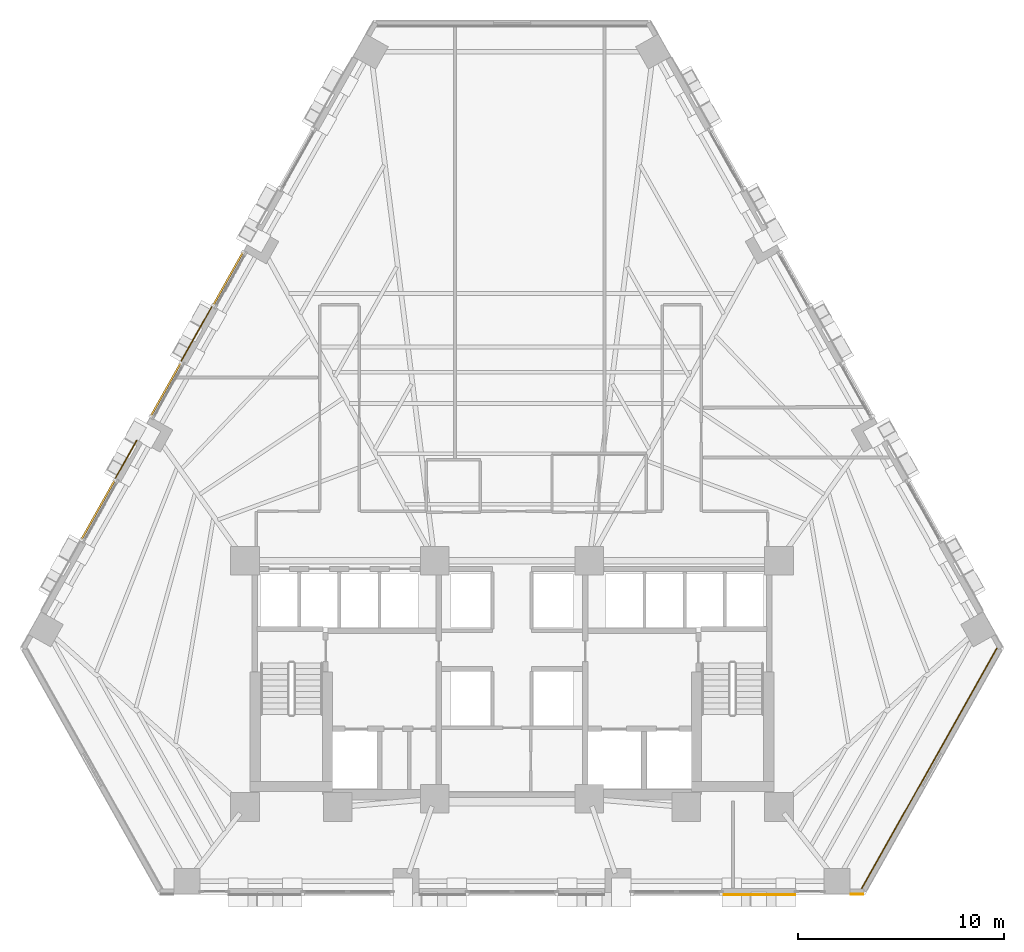
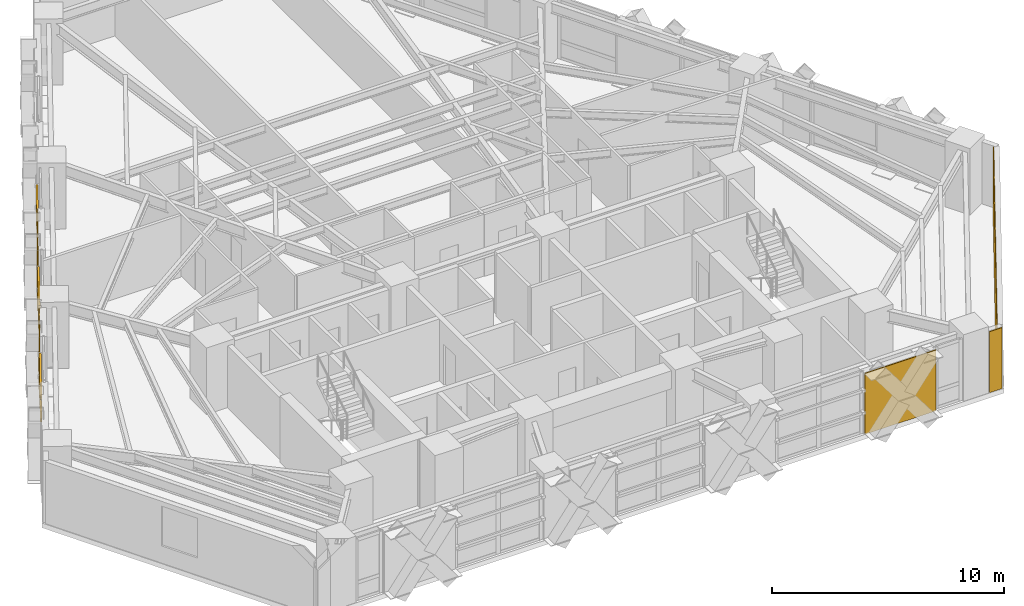
# One storey, part 11 of 13: 6 shading devices, 5 coverings.
"""IFC4 building model written with IfcOpenShell, lengths in metres."""

from ifc_helpers import new_model, si_unit, direction, frame, origin, origin_2d, place, context, subcontext, project, spatial, polyline, rectangle, outline, extrude, material, layer, layer_set, material_profile, profile_set, type_object, element, save


model = new_model("IFC4")

# Units and contexts
model_context = context("Model", 3, precision=1e-05, world=origin(), true_north=direction((0.0, 1.0)))
body_context = subcontext(model_context, "Body", "Model", "MODEL_VIEW")
ifc_project = project(units=[si_unit("LENGTHUNIT", "METRE"), si_unit("AREAUNIT", "SQUARE_METRE"), si_unit("VOLUMEUNIT", "CUBIC_METRE"), si_unit("PLANEANGLEUNIT", "RADIAN"), si_unit("MASSUNIT", "GRAM", prefix="KILO")], contexts=[model_context])

# Site, building, storey
site_placement = place(None, origin())
site = spatial("IfcSite", under=ifc_project, at=site_placement, CompositionType="ELEMENT")
building_placement = place(site_placement, origin())
building = spatial("IfcBuilding", under=site, at=building_placement, Name="Quenlor Broadcast Tower", CompositionType="ELEMENT")
storey_placement = place(building_placement, frame((0.0, 0.0, 62.60009765625)))
storey = spatial("IfcBuildingStorey", under=building, at=storey_placement, Name="L16", CompositionType="ELEMENT", Elevation=62.60009765625)

# Shading devices
ifc_material_1 = material(Name="Architectural Terracotta Ceramic", Category="masonry")
ifc_material_profile = material_profile(ifc_material_1, rectangle(XDim=0.090087890625, YDim=0.139892578125, at=origin_2d()))
ifc_profile_set = profile_set([ifc_material_profile], Name="Architectural Terracotta Ceramic BAG90x140")
shading_device_type = type_object("IfcShadingDeviceType", Name="Copper Terracotta Baguette Solar Screen 140", PredefinedType="USERDEFINED", material=ifc_profile_set)
for number, where, z_axis, x_axis, name in (
    (1, (-20.889404296875, -3.771484375, 1.169921875), (0.490289331496, 0.871559734855, 0.0), (-0.871559734855, 0.490289331496, 0.0), "L16 Terracotta Baguette Screen 1"),
    (2, (-20.889404296875, -3.771484375, 2.33984375), (0.490289331496, 0.871559734855, 0.0), (-0.871559734855, 0.490289331496, 0.0), "L16 Terracotta Baguette Screen 2"),
):
    element("IfcShadingDevice", number, at=place(storey_placement, frame(where, z_axis=z_axis, x_axis=x_axis)), inside=storey, type_object=shading_device_type, Name=name, ObjectType="BAGUETTE", PredefinedType="USERDEFINED", context=body_context, shape_type="SweptSolid", body=[
        extrude(rectangle(XDim=0.090087890625, YDim=0.139892578125, at=origin_2d()), origin(), (0.0, 0.0, 1.0), 3.301025390625),
    ])
for number, where, z_axis, x_axis, name in (
    (3, (-17.519775390625, 2.21923828125, 1.169921875), (0.490339873784, 0.871531300744, 0.0), (-0.871531300744, 0.490339873784, 0.0), "L16 Terracotta Baguette Screen 1"),
    (4, (-17.519775390625, 2.21923828125, 2.33984375), (0.490339873784, 0.871531300744, 0.0), (-0.871531300744, 0.490339873784, 0.0), "L16 Terracotta Baguette Screen 2"),
):
    element("IfcShadingDevice", number, at=place(storey_placement, frame(where, z_axis=z_axis, x_axis=x_axis)), inside=storey, type_object=shading_device_type, Name=name, ObjectType="BAGUETTE", PredefinedType="USERDEFINED", context=body_context, shape_type="SweptSolid", body=[
        extrude(rectangle(XDim=0.090087890625, YDim=0.139892578125, at=origin_2d()), origin(), (0.0, 0.0, 1.0), 2.947998046875),
    ])
for number, where, z_axis, x_axis, name in (
    (5, (-14.495849609375, 7.5947265625, 1.169921875), (0.490241581092, 0.871586594762, 0.0), (-0.871586594762, 0.490241581092, 0.0), "L16 Terracotta Baguette Screen 1"),
    (6, (-14.495849609375, 7.5947265625, 2.33984375), (0.490241581092, 0.871586594762, 0.0), (-0.871586594762, 0.490241581092, 0.0), "L16 Terracotta Baguette Screen 2"),
):
    element("IfcShadingDevice", number, at=place(storey_placement, frame(where, z_axis=z_axis, x_axis=x_axis)), inside=storey, type_object=shading_device_type, Name=name, ObjectType="BAGUETTE", PredefinedType="USERDEFINED", context=body_context, shape_type="SweptSolid", body=[
        extrude(rectangle(XDim=0.090087890625, YDim=0.139892578125, at=origin_2d()), origin(), (0.0, 0.0, 1.0), 2.9482421875),
    ])

# Coverings
ifc_material_2 = material(Name="Architectural Terracotta Ceramic", Category="masonry")
ifc_layer = layer(ifc_material_2, 0.044921875)
ifc_layer_set = layer_set([ifc_layer], Name="Fluted Terracotta Rainscreen Cladding Panel")
covering_type = type_object("IfcCoveringType", Name="Fluted Terracotta Rainscreen Cladding Panel", PredefinedType="CLADDING", material=ifc_layer_set)
covering_1_placement = place(storey_placement, frame((0.0, 0.0, 0.02001953125)))
element("IfcCovering", 7, at=covering_1_placement, inside=storey, type_object=covering_type, Name="L16 Terracotta Rainscreen Cladding L16-SHD-SS0", PredefinedType="CLADDING", context=body_context, shape_type="SweptSolid", body=[
    extrude(outline(polyline([(17.0458984375, -20.951904296875), (16.425048828125, -20.951904296875), (16.425048828125, -20.9970703125), (17.0458984375, -20.9970703125), (17.0458984375, -20.951904296875)])), origin(), (0.0, 0.0, 1.0), 3.2099609375),
])
covering_2_placement = place(storey_placement, frame((0.0, 0.0, 0.02001953125)))
element("IfcCovering", 8, at=covering_2_placement, inside=storey, type_object=covering_type, Name="L16 Terracotta Rainscreen Cladding L16-SA-SP1", PredefinedType="CLADDING", context=body_context, shape_type="SweptSolid", body=[
    extrude(outline(polyline([(13.73681640625, -20.98193359375), (10.20458984375, -20.98193359375), (10.20458984375, -21.027099609375), (13.73681640625, -21.027099609375), (13.73681640625, -20.98193359375)])), origin(), (0.0, 0.0, 1.0), 3.2099609375),
])
covering_3_placement = place(storey_placement, frame((0.0, 0.0, 0.02001953125)))
element("IfcCovering", 9, at=covering_3_placement, inside=storey, type_object=covering_type, Name="L16 Terracotta Rainscreen Cladding L16-NWA-SP2", PredefinedType="CLADDING", context=body_context, shape_type="SweptSolid", body=[
    extrude(outline(polyline([(-19.236083984375, -0.833984375), (-18.18798828125, 1.029052734375), (-18.227294921875, 1.051025390625), (-19.275146484375, -0.81201171875), (-19.236083984375, -0.833984375)])), origin(), (0.0, 0.0, 1.0), 3.2099609375),
])
covering_4_placement = place(storey_placement, frame((0.0, 0.0, 0.02001953125)))
element("IfcCovering", 10, at=covering_4_placement, inside=storey, type_object=covering_type, Name="L16 Terracotta Rainscreen Cladding L16-NW-SP1", PredefinedType="CLADDING", context=body_context, shape_type="SweptSolid", body=[
    extrude(outline(polyline([(-16.039306640625, 4.84912109375), (-14.529296875, 7.533203125), (-14.568603515625, 7.555419921875), (-16.078369140625, 4.87109375), (-16.039306640625, 4.84912109375)])), origin(), (0.0, 0.0, 1.0), 3.2099609375),
])
covering_5_placement = place(storey_placement, frame((0.0, 0.0, 0.02001953125)))
element("IfcCovering", 11, at=covering_5_placement, inside=storey, type_object=covering_type, Name="L16 Terracotta Rainscreen Cladding L16-CNR-06", PredefinedType="CLADDING", context=body_context, shape_type="SweptSolid", body=[
    extrude(outline(polyline([(16.98388671875, -20.71533203125), (23.547607421875, -9.046875), (23.50830078125, -9.02490234375), (16.94482421875, -20.693359375), (16.98388671875, -20.71533203125)])), origin(), (0.0, 0.0, 1.0), 3.2099609375),
])

save(model, "model.ifc")
